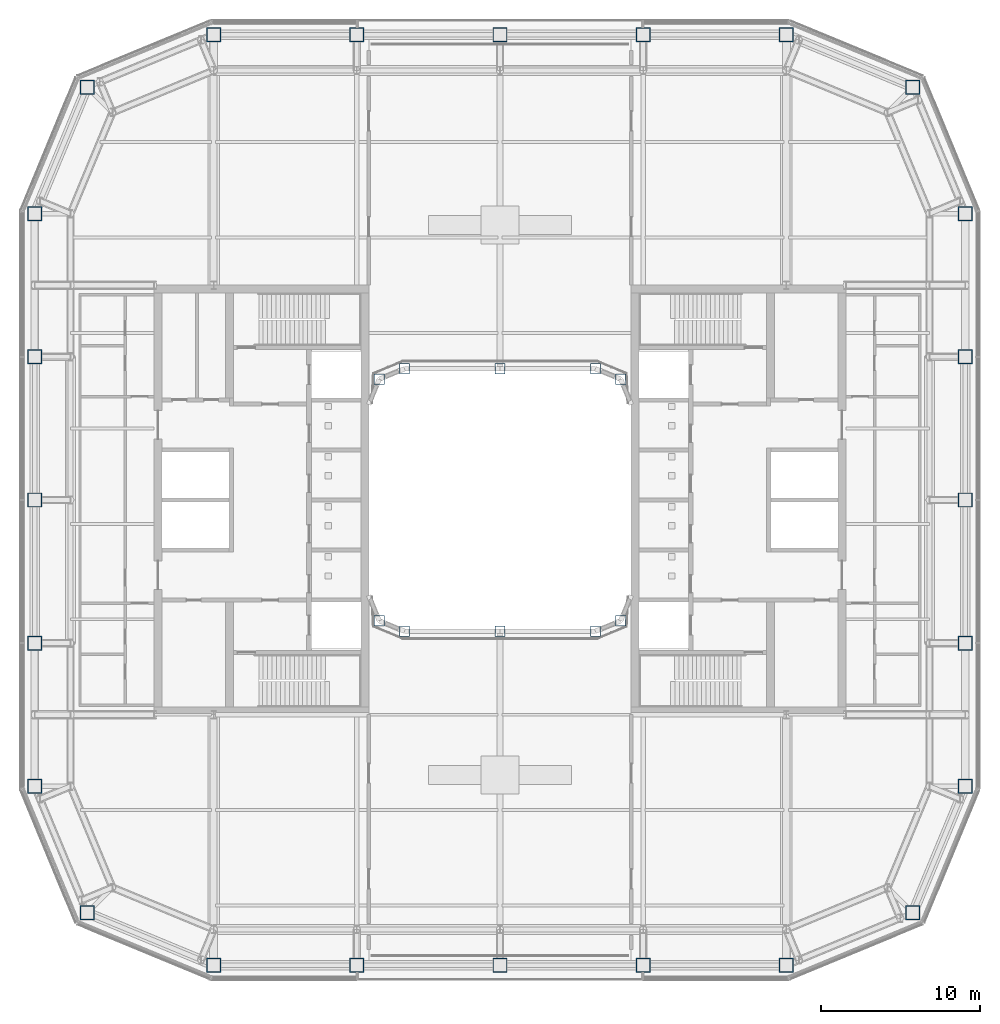
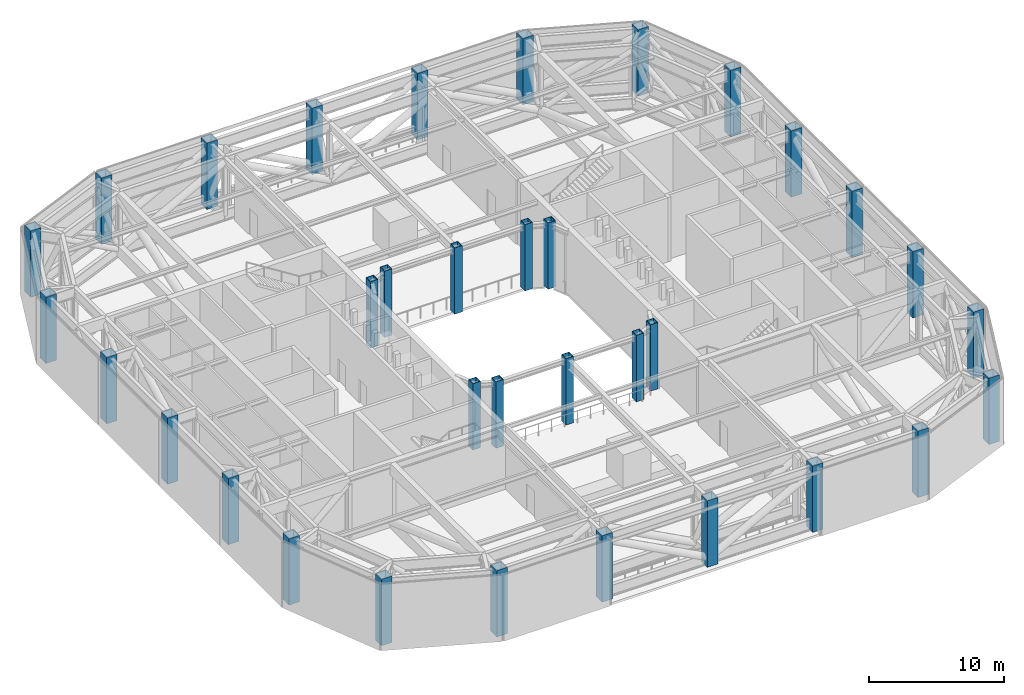
# One storey, part 1 of 22: 34 columns.
"""IFC4 building model written with IfcOpenShell, lengths in metres."""

from ifc_helpers import new_model, si_unit, direction, frame, origin, origin_2d, place, context, subcontext, project, spatial, hollow_rectangle, extrude, material, material_profile, profile_set, type_object, element, save


model = new_model("IFC4")

# Units and contexts
model_context = context("Model", 3, precision=1e-05, world=origin(), true_north=direction((0.0, 1.0)))
body_context = subcontext(model_context, "Body", "Model", "MODEL_VIEW")
ifc_project = project(units=[si_unit("LENGTHUNIT", "METRE"), si_unit("AREAUNIT", "SQUARE_METRE"), si_unit("VOLUMEUNIT", "CUBIC_METRE"), si_unit("PLANEANGLEUNIT", "RADIAN"), si_unit("MASSUNIT", "GRAM", prefix="KILO")], contexts=[model_context])

# Site, building, storey
site_placement = place(None, origin())
site = spatial("IfcSite", under=ifc_project, at=site_placement, CompositionType="ELEMENT")
building_placement = place(site_placement, origin())
building = spatial("IfcBuilding", under=site, at=building_placement, Name="Siwar Civic Tower", CompositionType="ELEMENT")
storey_placement = place(building_placement, frame((0.0, 0.0, 181.199951171875)))
storey = spatial("IfcBuildingStorey", under=building, at=storey_placement, Name="L39", CompositionType="ELEMENT", Elevation=181.199951171875)

# Columns
ifc_material_1 = material(Name="Steel S355", Category="steel")
ifc_material_profile_1 = material_profile(ifc_material_1, hollow_rectangle(XDim=0.89990234375, YDim=0.89990234375, WallThickness=0.050048828125, at=origin_2d()), Name="BOX900x900x50")
ifc_profile_set_1 = profile_set([ifc_material_profile_1], Name="Steel S355")
column_type_1 = type_object("IfcColumnType", Name="STR-COL-BOX900x900x50", PredefinedType="COLUMN", material=ifc_profile_set_1)
for number, where, z_axis, x_axis, name in (
    (1, (-18.0, -29.25, 0.0), (0.0, 0.0, 1.0), (1.0, 0.0, 0.0), "L39/col/S-0"),
    (2, (-9.0, -29.25, 0.0), (0.0, 0.0, 1.0), (1.0, 0.0, 0.0), "L39/col/S-1"),
    (3, (0.0, -29.25, 0.0), (0.0, 0.0, 1.0), (1.0, 0.0, 0.0), "L39/col/S-2"),
    (4, (9.0, -29.25, 0.0), (0.0, 0.0, 1.0), (1.0, 0.0, 0.0), "L39/col/S-3"),
    (5, (18.0, -29.25, 0.0), (0.0, 0.0, 1.0), (1.0, 0.0, 0.0), "L39/col/SE1-0"),
    (6, (25.954833984375, -25.954833984375, 0.0), (0.0, 0.0, 1.0), (1.0, 0.0, 0.0), "L39/col/SE2-0"),
    (7, (29.25, -18.0, 0.0), (0.0, 0.0, 1.0), (1.0, 0.0, 0.0), "L39/col/E-0"),
    (8, (29.25, -9.0, 0.0), (0.0, 0.0, 1.0), (1.0, 0.0, 0.0), "L39/col/E-1"),
    (9, (29.25, 0.0, 0.0), (0.0, 0.0, 1.0), (1.0, 0.0, 0.0), "L39/col/E-2"),
    (10, (29.25, 9.0, 0.0), (0.0, 0.0, 1.0), (1.0, 0.0, 0.0), "L39/col/E-3"),
    (11, (29.25, 18.0, 0.0), (0.0, 0.0, 1.0), (1.0, 0.0, 0.0), "L39/col/NE1-0"),
    (12, (25.954833984375, 25.954833984375, 0.0), (0.0, 0.0, 1.0), (1.0, 0.0, 0.0), "L39/col/NE2-0"),
    (13, (18.0, 29.25, 0.0), (0.0, 0.0, 1.0), (1.0, 0.0, 0.0), "L39/col/N-0"),
    (14, (9.0, 29.25, 0.0), (0.0, 0.0, 1.0), (1.0, 0.0, 0.0), "L39/col/N-1"),
    (15, (0.0, 29.25, 0.0), (0.0, 0.0, 1.0), (1.0, 0.0, 0.0), "L39/col/N-2"),
    (16, (-9.0, 29.25, 0.0), (0.0, 0.0, 1.0), (1.0, 0.0, 0.0), "L39/col/N-3"),
    (17, (-18.0, 29.25, 0.0), (0.0, 0.0, 1.0), (1.0, 0.0, 0.0), "L39/col/NW1-0"),
    (18, (-25.954833984375, 25.954833984375, 0.0), (0.0, 0.0, 1.0), (1.0, 0.0, 0.0), "L39/col/NW2-0"),
    (19, (-29.25, 18.0, 0.0), (0.0, 0.0, 1.0), (1.0, 0.0, 0.0), "L39/col/W-0"),
    (20, (-29.25, 9.0, 0.0), (0.0, 0.0, 1.0), (1.0, 0.0, 0.0), "L39/col/W-1"),
    (21, (-29.25, 0.0, 0.0), (0.0, 0.0, 1.0), (1.0, 0.0, 0.0), "L39/col/W-2"),
    (22, (-29.25, -9.0, 0.0), (0.0, 0.0, 1.0), (1.0, 0.0, 0.0), "L39/col/W-3"),
    (23, (-29.25, -18.0, 0.0), (0.0, 0.0, 1.0), (1.0, 0.0, 0.0), "L39/col/SW1-0"),
    (24, (-25.954833984375, -25.954833984375, 0.0), (0.0, 0.0, 1.0), (1.0, 0.0, 0.0), "L39/col/SW2-0"),
):
    element("IfcColumn", number, at=place(storey_placement, frame(where, z_axis=z_axis, x_axis=x_axis)), inside=storey, type_object=column_type_1, Name=name, PredefinedType="COLUMN", context=body_context, shape_type="SweptSolid", body=[
        extrude(hollow_rectangle(XDim=0.89990234375, YDim=0.89990234375, WallThickness=0.050048828125, at=origin_2d()), origin(), (0.0, 0.0, 1.0), 6.0),
    ])
ifc_material_2 = material(Name="Steel S355", Category="steel")
ifc_material_profile_2 = material_profile(ifc_material_2, hollow_rectangle(XDim=0.64990234375, YDim=0.64990234375, WallThickness=0.035888671875, at=origin_2d()), Name="BOX650x650x36")
ifc_profile_set_2 = profile_set([ifc_material_profile_2], Name="Steel S355")
column_type_2 = type_object("IfcColumnType", Name="STR-ICOL-BOX650x650x36", PredefinedType="COLUMN", material=ifc_profile_set_2)
for number, where, z_axis, x_axis, name in (
    (25, (-7.591064453125, -7.591064453125, 0.0), (0.0, 0.0, 1.0), (1.0, 0.0, 0.0), "L39/col/IS-0"),
    (26, (-6.0, -8.25, 0.0), (0.0, 0.0, 1.0), (1.0, 0.0, 0.0), "L39/col/IS-1"),
    (27, (0.0, -8.25, 0.0), (0.0, 0.0, 1.0), (1.0, 0.0, 0.0), "L39/col/IS-2"),
    (28, (6.0, -8.25, 0.0), (0.0, 0.0, 1.0), (1.0, 0.0, 0.0), "L39/col/IS-3"),
    (29, (7.591064453125, -7.591064453125, 0.0), (0.0, 0.0, 1.0), (1.0, 0.0, 0.0), "L39/col/IS-4"),
    (30, (-7.591064453125, 7.591064453125, 0.0), (0.0, 0.0, 1.0), (1.0, 0.0, 0.0), "L39/col/IN-0"),
    (31, (-6.0, 8.25, 0.0), (0.0, 0.0, 1.0), (1.0, 0.0, 0.0), "L39/col/IN-1"),
    (32, (0.0, 8.25, 0.0), (0.0, 0.0, 1.0), (1.0, 0.0, 0.0), "L39/col/IN-2"),
    (33, (6.0, 8.25, 0.0), (0.0, 0.0, 1.0), (1.0, 0.0, 0.0), "L39/col/IN-3"),
    (34, (7.591064453125, 7.591064453125, 0.0), (0.0, 0.0, 1.0), (1.0, 0.0, 0.0), "L39/col/IN-4"),
):
    element("IfcColumn", number, at=place(storey_placement, frame(where, z_axis=z_axis, x_axis=x_axis)), inside=storey, type_object=column_type_2, Name=name, PredefinedType="COLUMN", context=body_context, shape_type="SweptSolid", body=[
        extrude(hollow_rectangle(XDim=0.64990234375, YDim=0.64990234375, WallThickness=0.035888671875, at=origin_2d()), origin(), (0.0, 0.0, 1.0), 6.0),
    ])

save(model, "model.ifc")
